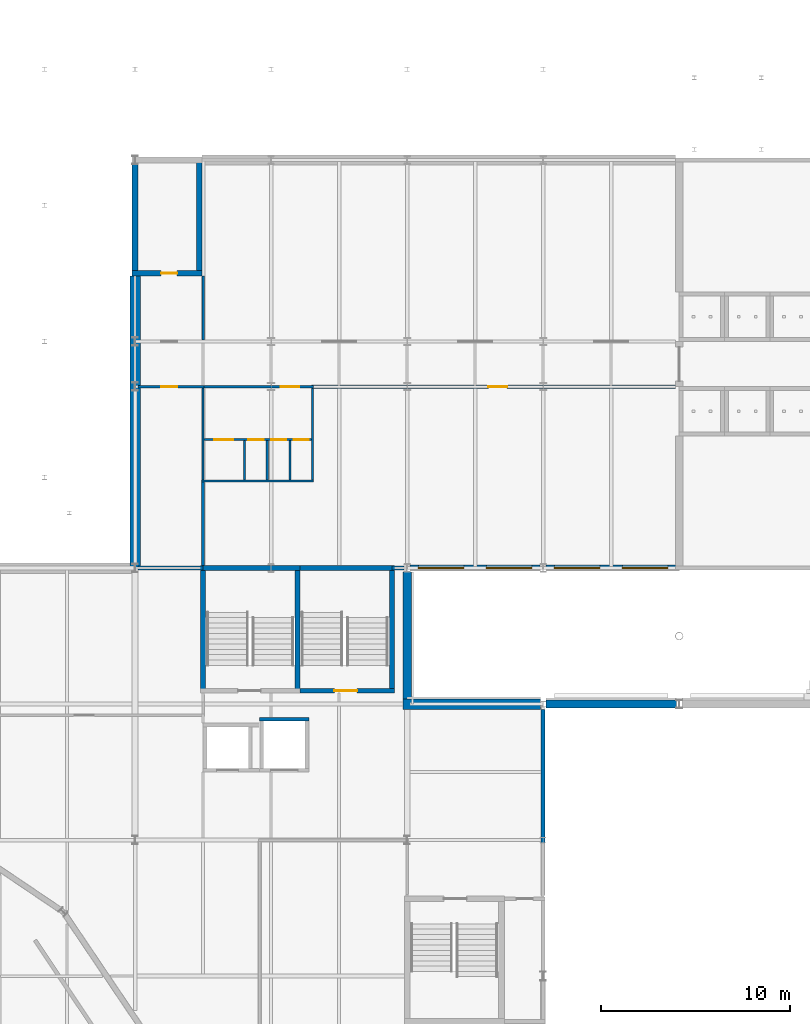
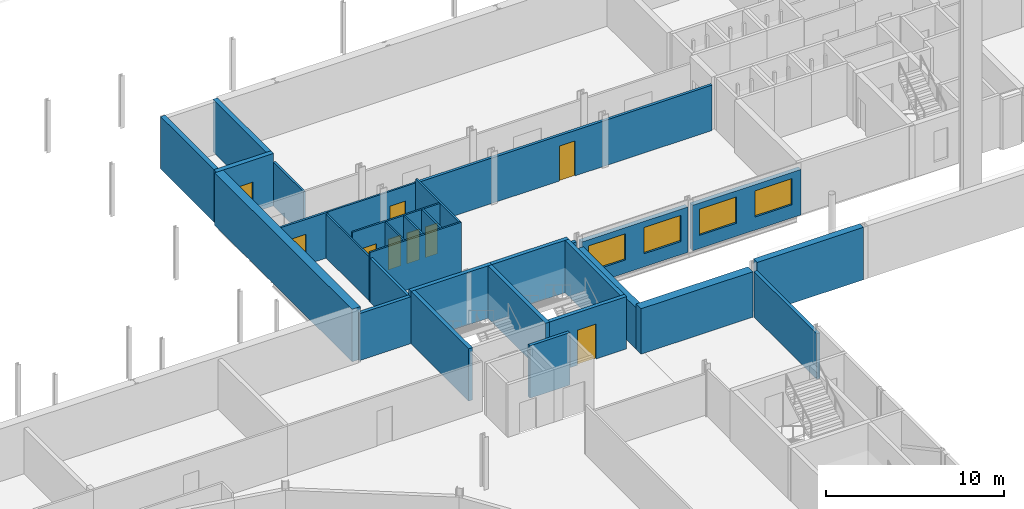
# One storey, part 53 of 90: 31 walls, 9 doors, 4 windows, 13 openings.
"""IFC4 building model written with IfcOpenShell, lengths in metres."""

from ifc_helpers import new_model, si_unit, direction, frame, frame_2d, origin, place, context, subcontext, project, spatial, rectangle, extrude, material, layer, layer_set, type_object, element, fill, save


model = new_model("IFC4")

# Units and contexts
model_context = context("Model", 3, precision=1e-05, world=origin(), true_north=direction((0.0, 1.0)))
body_context = subcontext(model_context, "Body", "Model", "MODEL_VIEW")
ifc_project = project(units=[si_unit("LENGTHUNIT", "METRE"), si_unit("AREAUNIT", "SQUARE_METRE"), si_unit("VOLUMEUNIT", "CUBIC_METRE"), si_unit("PLANEANGLEUNIT", "RADIAN"), si_unit("MASSUNIT", "GRAM", prefix="KILO")], contexts=[model_context])

# Site, building, storey
site_placement = place(None, origin())
site = spatial("IfcSite", under=ifc_project, at=site_placement, CompositionType="ELEMENT")
building_placement = place(site_placement, origin())
building = spatial("IfcBuilding", under=site, at=building_placement, Name="Kupolbacken Congress Centre", CompositionType="ELEMENT")
storey_placement = place(building_placement, frame((0.0, 0.0, 3.60009765625)))
storey = spatial("IfcBuildingStorey", under=building, at=storey_placement, Name="L01", CompositionType="ELEMENT", Elevation=3.60009765625)

# Wall, openings, windows
ifc_material_1 = material(Name="Limestone", Category="masonry")
ifc_layer_1 = layer(ifc_material_1, 0.06005859375)
ifc_material_2 = material(Name="Air cavity", Category="air")
ifc_layer_2 = layer(ifc_material_2, 0.0400390625, ventilated=True)
ifc_material_3 = material(Name="Mineral wool", Category="insulation")
ifc_layer_3 = layer(ifc_material_3, 0.14990234375)
ifc_material_4 = material(Name="Steel studs", Category="metal")
ifc_layer_4 = layer(ifc_material_4, 0.050048828125)
ifc_layer_set_1 = layer_set([ifc_layer_1, ifc_layer_2, ifc_layer_3, ifc_layer_4], Name="Limestone / Mineral wool / Steel studs")
wall_type_1 = type_object("IfcWallType", Name="EW01 external cavity wall 300", PredefinedType="SOLIDWALL", material=ifc_layer_set_1)
wall_1_placement = place(storey_placement, frame((79.353515625, 122.39990234375, 0.0), z_axis=(0.0, 0.0, 1.0), x_axis=(1.0, 0.0, 0.0)))
wall_1 = element("IfcWall", 1, at=wall_1_placement, inside=storey, type_object=wall_type_1, Name="E/T/S/L01/007", PredefinedType="SOLIDWALL", context=body_context, shape_type="SweptSolid", body=[
    extrude(rectangle(XDim=6.89306640625, YDim=0.300048828125, at=frame_2d((3.446533203125, 0.0))), origin(), (0.0, 0.0, 1.0), 3.119873046875),
])
opening_1_placement = place(wall_1_placement, frame((0.446533203125, 0.0, 0.89990234375)))
opening_1 = element("IfcOpeningElement", 2, at=opening_1_placement, cuts=wall_1, Name="Opening W8", PredefinedType="OPENING", context=body_context, shape_type="SweptSolid", body=[
    extrude(rectangle(XDim=2.39990234375, YDim=1.800048828125, at=frame_2d((1.199951171875, 0.89990234375))), frame((0.0, 0.159912109375, 0.0), z_axis=(0.0, -1.0, 0.0), x_axis=(1.0, 0.0, 0.0)), (0.0, 0.0, 1.0), 0.320068359375),
])
opening_2_placement = place(wall_1_placement, frame((4.04638671875, 0.0, 0.89990234375)))
opening_2 = element("IfcOpeningElement", 3, at=opening_2_placement, cuts=wall_1, Name="Opening W8", PredefinedType="OPENING", context=body_context, shape_type="SweptSolid", body=[
    extrude(rectangle(XDim=2.39990234375, YDim=1.800048828125, at=frame_2d((1.199951171875, 0.89990234375))), frame((0.0, 0.159912109375, 0.0), z_axis=(0.0, -1.0, 0.0), x_axis=(1.0, 0.0, 0.0)), (0.0, 0.0, 1.0), 0.320068359375),
])
ifc_material_5 = material(Name="Aluminium frame with double or triple glazing", Category="aluminium")
window_type = type_object("IfcWindowType", Name="W8 window 2400x1800", PartitioningType="DOUBLE_PANEL_VERTICAL", PredefinedType="WINDOW", material=ifc_material_5)
window_1_placement = place(opening_1_placement, origin())
window_1 = element("IfcWindow", 4, at=window_1_placement, inside=storey, type_object=window_type, Name="E/T/S/L01/007/W1", OverallHeight=1.800048828125, OverallWidth=2.39990234375, PartitioningType="SINGLE_PANEL", PredefinedType="WINDOW", context=body_context, shape_type="SweptSolid", body=[
    extrude(rectangle(XDim=2.39990234375, YDim=1.800048828125, at=frame_2d((1.199951171875, 0.89990234375))), frame((0.0, 0.030029296875, 0.0), z_axis=(0.0, -1.0, 0.0), x_axis=(1.0, 0.0, 0.0)), (0.0, 0.0, 1.0), 0.06005859375),
])
fill(opening_1, window_1)
window_2_placement = place(opening_2_placement, origin())
window_2 = element("IfcWindow", 5, at=window_2_placement, inside=storey, type_object=window_type, Name="E/T/S/L01/007/W2", OverallHeight=1.800048828125, OverallWidth=2.39990234375, PartitioningType="SINGLE_PANEL", PredefinedType="WINDOW", context=body_context, shape_type="SweptSolid", body=[
    extrude(rectangle(XDim=2.39990234375, YDim=1.800048828125, at=frame_2d((1.199951171875, 0.89990234375))), frame((0.0, 0.030029296875, 0.0), z_axis=(0.0, -1.0, 0.0), x_axis=(1.0, 0.0, 0.0)), (0.0, 0.0, 1.0), 0.06005859375),
])
fill(opening_2, window_2)

wall_2_placement = place(storey_placement, frame((86.553466796875, 122.39990234375, 0.0), z_axis=(0.0, 0.0, 1.0), x_axis=(1.0, 0.0, 0.0)))
wall_2 = element("IfcWall", 6, at=wall_2_placement, inside=storey, type_object=wall_type_1, Name="E/T/S/L01/008", PredefinedType="SOLIDWALL", context=body_context, shape_type="SweptSolid", body=[
    extrude(rectangle(XDim=7.046630859375, YDim=0.300048828125, at=frame_2d((3.5234375, 0.0))), origin(), (0.0, 0.0, 1.0), 3.119873046875),
])
opening_3_placement = place(wall_2_placement, frame((0.446533203125, 0.0, 0.89990234375)))
opening_3 = element("IfcOpeningElement", 7, at=opening_3_placement, cuts=wall_2, Name="Opening W8", PredefinedType="OPENING", context=body_context, shape_type="SweptSolid", body=[
    extrude(rectangle(XDim=2.39990234375, YDim=1.800048828125, at=frame_2d((1.199951171875, 0.89990234375))), frame((0.0, 0.159912109375, 0.0), z_axis=(0.0, -1.0, 0.0), x_axis=(1.0, 0.0, 0.0)), (0.0, 0.0, 1.0), 0.320068359375),
])
opening_4_placement = place(wall_2_placement, frame((4.04638671875, 0.0, 0.89990234375)))
opening_4 = element("IfcOpeningElement", 8, at=opening_4_placement, cuts=wall_2, Name="Opening W8", PredefinedType="OPENING", context=body_context, shape_type="SweptSolid", body=[
    extrude(rectangle(XDim=2.39990234375, YDim=1.800048828125, at=frame_2d((1.199951171875, 0.89990234375))), frame((0.0, 0.159912109375, 0.0), z_axis=(0.0, -1.0, 0.0), x_axis=(1.0, 0.0, 0.0)), (0.0, 0.0, 1.0), 0.320068359375),
])
window_3_placement = place(opening_3_placement, origin())
window_3 = element("IfcWindow", 9, at=window_3_placement, inside=storey, type_object=window_type, Name="E/T/S/L01/008/W1", OverallHeight=1.800048828125, OverallWidth=2.39990234375, PartitioningType="SINGLE_PANEL", PredefinedType="WINDOW", context=body_context, shape_type="SweptSolid", body=[
    extrude(rectangle(XDim=2.39990234375, YDim=1.800048828125, at=frame_2d((1.199951171875, 0.89990234375))), frame((0.0, 0.030029296875, 0.0), z_axis=(0.0, -1.0, 0.0), x_axis=(1.0, 0.0, 0.0)), (0.0, 0.0, 1.0), 0.06005859375),
])
fill(opening_3, window_3)
window_4_placement = place(opening_4_placement, origin())
window_4 = element("IfcWindow", 10, at=window_4_placement, inside=storey, type_object=window_type, Name="E/T/S/L01/008/W2", OverallHeight=1.800048828125, OverallWidth=2.39990234375, PartitioningType="SINGLE_PANEL", PredefinedType="WINDOW", context=body_context, shape_type="SweptSolid", body=[
    extrude(rectangle(XDim=2.39990234375, YDim=1.800048828125, at=frame_2d((1.199951171875, 0.89990234375))), frame((0.0, 0.030029296875, 0.0), z_axis=(0.0, -1.0, 0.0), x_axis=(1.0, 0.0, 0.0)), (0.0, 0.0, 1.0), 0.06005859375),
])
fill(opening_4, window_4)

# Walls
ifc_material_6 = material(Name="Brick", Category="masonry")
ifc_layer_5 = layer(ifc_material_6, 0.10791015625)
ifc_layer_6 = layer(ifc_material_2, 0.0400390625, ventilated=True)
ifc_layer_7 = layer(ifc_material_3, 0.152099609375)
ifc_material_7 = material(Name="Concrete block", Category="masonry")
ifc_layer_8 = layer(ifc_material_7, 0.1201171875)
ifc_layer_set_2 = layer_set([ifc_layer_5, ifc_layer_6, ifc_layer_7, ifc_layer_8], Name="Brick / Mineral wool / Concrete block")
wall_type_2 = type_object("IfcWallType", Name="EW04 external cavity wall 420", PredefinedType="SOLIDWALL", material=ifc_layer_set_2)
wall_3_placement = place(storey_placement, frame((93.449951171875, 115.199951171875, 0.0), z_axis=(0.0, 0.0, 1.0), x_axis=(-1.0, 0.0, 0.0)))
element("IfcWall", 11, at=wall_3_placement, inside=storey, type_object=wall_type_2, Name="E/H/N/L01/170", PredefinedType="SOLIDWALL", context=body_context, shape_type="SweptSolid", body=[
    extrude(rectangle(XDim=6.89990234375, YDim=0.419921875, at=frame_2d((3.449951171875, 0.0))), origin(), (0.0, 0.0, 1.0), 3.599853515625),
])
ifc_layer_9 = layer(ifc_material_1, 0.1201171875)
ifc_layer_10 = layer(ifc_material_2, 0.0400390625, ventilated=True)
ifc_layer_11 = layer(ifc_material_3, 0.159912109375)
ifc_layer_12 = layer(ifc_material_7, 0.1201171875)
ifc_layer_set_3 = layer_set([ifc_layer_9, ifc_layer_10, ifc_layer_11, ifc_layer_12], Name="Limestone / Mineral wool / Concrete block")
wall_type_3 = type_object("IfcWallType", Name="EW05 external cavity wall 440", PredefinedType="SOLIDWALL", material=ifc_layer_set_3)
wall_4_placement = place(storey_placement, frame((79.199951171875, 115.47998046875, 0.0), z_axis=(0.0, 0.0, 1.0), x_axis=(0.0, 1.0, 0.0)))
element("IfcWall", 12, at=wall_4_placement, inside=storey, type_object=wall_type_3, Name="E/P/E/L01/189", PredefinedType="SOLIDWALL", context=body_context, shape_type="SweptSolid", body=[
    extrude(rectangle(XDim=6.7041015625, YDim=0.43994140625, at=frame_2d((3.35205078125, 0.0))), origin(), (0.0, 0.0, 1.0), 2.81982421875),
])
ifc_material_8 = material(Name="Concrete C40/50", Category="concrete")
ifc_layer_13 = layer(ifc_material_8, 0.199951171875)
ifc_layer_14 = layer(ifc_material_3, 0.199951171875)
ifc_layer_15 = layer(ifc_material_2, 0.0400390625, ventilated=True)
ifc_layer_16 = layer(ifc_material_1, 0.1201171875)
ifc_layer_set_4 = layer_set([ifc_layer_13, ifc_layer_14, ifc_layer_15, ifc_layer_16], Name="Concrete C40/50 / Mineral wool / Limestone")
wall_type_4 = type_object("IfcWallType", Name="EW09 external cavity wall 560", PredefinedType="SOLIDWALL", material=ifc_layer_set_4)
wall_5_placement = place(storey_placement, frame((86.25, 115.199951171875, 0.0), z_axis=(0.0, 0.0, 1.0), x_axis=(-1.0, 0.0, 0.0)))
element("IfcWall", 13, at=wall_5_placement, inside=storey, type_object=wall_type_4, Name="E/LINK/N/L01/187", PredefinedType="SOLIDWALL", context=body_context, shape_type="SweptSolid", body=[
    extrude(rectangle(XDim=7.27001953125, YDim=0.56005859375, at=frame_2d((3.635009765625, 0.0))), origin(), (0.0, 0.0, 1.0), 3.119873046875),
])
ifc_material_9 = material(Name="Gypsum board", Category="drywall")
ifc_layer_17 = layer(ifc_material_9, 0.114990234375)
ifc_layer_set_5 = layer_set([ifc_layer_17], Name="Gypsum board")
wall_type_5 = type_object("IfcWallType", Name="P04 partition 115", PredefinedType="PARTITIONING", material=ifc_layer_set_5)
wall_6_placement = place(storey_placement, frame((68.3125, 127.0, 0.0), z_axis=(0.0, 0.0, 1.0), x_axis=(1.0, 0.0, 0.0)))
element("IfcWall", 14, at=wall_6_placement, inside=storey, type_object=wall_type_5, Name="T/wall/L01/x/12700/6840", PredefinedType="PARTITIONING", context=body_context, shape_type="SweptSolid", body=[
    extrude(rectangle(XDim=5.945068359375, YDim=0.114990234375, at=frame_2d((2.97265625, 0.0))), origin(), (0.0, 0.0, 1.0), 3.419921875),
])

# Wall, openings, doors
wall_7_placement = place(storey_placement, frame((68.45751953125, 129.199951171875, 0.0), z_axis=(0.0, 0.0, 1.0), x_axis=(1.0, 0.0, 0.0)))
wall_7 = element("IfcWall", 15, at=wall_7_placement, inside=storey, type_object=wall_type_5, Name="T/wall/L01/x/12920/6840", PredefinedType="PARTITIONING", context=body_context, shape_type="SweptSolid", body=[
    extrude(rectangle(XDim=5.68505859375, YDim=0.114990234375, at=frame_2d((2.842529296875, 0.0))), origin(), (0.0, 0.0, 1.0), 3.419921875),
])
opening_5_placement = place(wall_7_placement, frame((0.54248046875, 0.0, 0.0)))
opening_5 = element("IfcOpeningElement", 16, at=opening_5_placement, cuts=wall_7, Name="Opening D39", PredefinedType="OPENING", context=body_context, shape_type="SweptSolid", body=[
    extrude(rectangle(XDim=1.0, YDim=2.10009765625, at=frame_2d((0.5, 1.050048828125))), frame((0.0, 0.0673828125, 0.0), z_axis=(0.0, -1.0, 0.0), x_axis=(1.0, 0.0, 0.0)), (0.0, 0.0, 1.0), 0.135009765625),
])
opening_6_placement = place(wall_7_placement, frame((2.342529296875, 0.0, 0.0)))
opening_6 = element("IfcOpeningElement", 17, at=opening_6_placement, cuts=wall_7, Name="Opening D2", PredefinedType="OPENING", context=body_context, shape_type="SweptSolid", body=[
    extrude(rectangle(XDim=0.800048828125, YDim=2.10009765625, at=frame_2d((0.39990234375, 1.050048828125))), frame((0.0, 0.0673828125, 0.0), z_axis=(0.0, -1.0, 0.0), x_axis=(1.0, 0.0, 0.0)), (0.0, 0.0, 1.0), 0.135009765625),
])
opening_7_placement = place(wall_7_placement, frame((3.54248046875, 0.0, 0.0)))
opening_7 = element("IfcOpeningElement", 18, at=opening_7_placement, cuts=wall_7, Name="Opening D2", PredefinedType="OPENING", context=body_context, shape_type="SweptSolid", body=[
    extrude(rectangle(XDim=0.800048828125, YDim=2.10009765625, at=frame_2d((0.39990234375, 1.050048828125))), frame((0.0, 0.0673828125, 0.0), z_axis=(0.0, -1.0, 0.0), x_axis=(1.0, 0.0, 0.0)), (0.0, 0.0, 1.0), 0.135009765625),
])
opening_8_placement = place(wall_7_placement, frame((4.742431640625, 0.0, 0.0)))
opening_8 = element("IfcOpeningElement", 19, at=opening_8_placement, cuts=wall_7, Name="Opening D2", PredefinedType="OPENING", context=body_context, shape_type="SweptSolid", body=[
    extrude(rectangle(XDim=0.800048828125, YDim=2.10009765625, at=frame_2d((0.39990234375, 1.050048828125))), frame((0.0, 0.0673828125, 0.0), z_axis=(0.0, -1.0, 0.0), x_axis=(1.0, 0.0, 0.0)), (0.0, 0.0, 1.0), 0.135009765625),
])
ifc_material_10 = material(Name="Timber door leaf", Category="wood")
door_type_1 = type_object("IfcDoorType", Name="D2 door 800x2100", OperationType="SINGLE_SWING_LEFT", PredefinedType="DOOR", material=ifc_material_10)
door_1_placement = place(opening_6_placement, frame((0.800048828125, 0.0, 0.0), z_axis=(0.0, 0.0, 1.0), x_axis=(-1.0, 0.0, 0.0)))
door_1 = element("IfcDoor", 20, at=door_1_placement, inside=storey, type_object=door_type_1, Name="T/wall/L01/x/12920/6840/D-WS-DC1", OperationType="SINGLE_SWING_LEFT", OverallHeight=2.10009765625, OverallWidth=0.800048828125, PredefinedType="DOOR", context=body_context, shape_type="SweptSolid", body=[
    extrude(rectangle(XDim=0.800048828125, YDim=2.10009765625, at=frame_2d((0.39990234375, 1.050048828125))), frame((0.0, 0.02490234375, 0.0), z_axis=(0.0, -1.0, 0.0), x_axis=(1.0, 0.0, 0.0)), (0.0, 0.0, 1.0), 0.050048828125),
])
fill(opening_6, door_1)
door_2_placement = place(opening_7_placement, frame((0.800048828125, 0.0, 0.0), z_axis=(0.0, 0.0, 1.0), x_axis=(-1.0, 0.0, 0.0)))
door_2 = element("IfcDoor", 21, at=door_2_placement, inside=storey, type_object=door_type_1, Name="T/wall/L01/x/12920/6840/D-WS-DC2", OperationType="SINGLE_SWING_LEFT", OverallHeight=2.10009765625, OverallWidth=0.800048828125, PredefinedType="DOOR", context=body_context, shape_type="SweptSolid", body=[
    extrude(rectangle(XDim=0.800048828125, YDim=2.10009765625, at=frame_2d((0.39990234375, 1.050048828125))), frame((0.0, 0.02490234375, 0.0), z_axis=(0.0, -1.0, 0.0), x_axis=(1.0, 0.0, 0.0)), (0.0, 0.0, 1.0), 0.050048828125),
])
fill(opening_7, door_2)
door_3_placement = place(opening_8_placement, frame((0.800048828125, 0.0, 0.0), z_axis=(0.0, 0.0, 1.0), x_axis=(-1.0, 0.0, 0.0)))
door_3 = element("IfcDoor", 22, at=door_3_placement, inside=storey, type_object=door_type_1, Name="T/wall/L01/x/12920/6840/D-WS-DC3", OperationType="SINGLE_SWING_LEFT", OverallHeight=2.10009765625, OverallWidth=0.800048828125, PredefinedType="DOOR", context=body_context, shape_type="SweptSolid", body=[
    extrude(rectangle(XDim=0.800048828125, YDim=2.10009765625, at=frame_2d((0.39990234375, 1.050048828125))), frame((0.0, 0.02490234375, 0.0), z_axis=(0.0, -1.0, 0.0), x_axis=(1.0, 0.0, 0.0)), (0.0, 0.0, 1.0), 0.050048828125),
])
fill(opening_8, door_3)
ifc_material_11 = material(Name="Timber door leaf", Category="wood")
door_type_2 = type_object("IfcDoorType", Name="D39 door 1000x2100", OperationType="SINGLE_SWING_LEFT", PredefinedType="DOOR", material=ifc_material_11)
door_4_placement = place(opening_5_placement, frame((1.0, 0.0, 0.0), z_axis=(0.0, 0.0, 1.0), x_axis=(-1.0, 0.0, 0.0)))
door_4 = element("IfcDoor", 23, at=door_4_placement, inside=storey, type_object=door_type_2, Name="T/wall/L01/x/12920/6840/D-WS-DA", OperationType="SINGLE_SWING_LEFT", OverallHeight=2.10009765625, OverallWidth=1.0, PredefinedType="DOOR", context=body_context, shape_type="SweptSolid", body=[
    extrude(rectangle(XDim=1.0, YDim=2.10009765625, at=frame_2d((0.5, 1.050048828125))), frame((0.0, 0.02490234375, 0.0), z_axis=(0.0, -1.0, 0.0), x_axis=(1.0, 0.0, 0.0)), (0.0, 0.0, 1.0), 0.050048828125),
])
fill(opening_5, door_4)

# Wall, opening, door
wall_8_placement = place(storey_placement, frame((68.342529296875, 132.0, 0.0), z_axis=(0.0, 0.0, 1.0), x_axis=(1.0, 0.0, 0.0)))
wall_8 = element("IfcWall", 24, at=wall_8_placement, inside=storey, type_object=wall_type_5, Name="T/wall/L01/x/13200/6840", PredefinedType="PARTITIONING", context=body_context, shape_type="SweptSolid", body=[
    extrude(rectangle(XDim=5.9150390625, YDim=0.114990234375, at=frame_2d((2.95751953125, 0.0))), origin(), (0.0, 0.0, 1.0), 3.119873046875),
])
opening_9_placement = place(wall_8_placement, frame((4.157470703125, 0.0, 0.0)))
opening_9 = element("IfcOpeningElement", 25, at=opening_9_placement, cuts=wall_8, Name="Opening D39", PredefinedType="OPENING", context=body_context, shape_type="SweptSolid", body=[
    extrude(rectangle(XDim=1.0, YDim=2.10009765625, at=frame_2d((0.5, 1.050048828125))), frame((0.0, 0.0673828125, 0.0), z_axis=(0.0, -1.0, 0.0), x_axis=(1.0, 0.0, 0.0)), (0.0, 0.0, 1.0), 0.135009765625),
])
door_5_placement = place(opening_9_placement, origin())
door_5 = element("IfcDoor", 26, at=door_5_placement, inside=storey, type_object=door_type_2, Name="T/wall/L01/x/13200/6840/D-WS-DE", OperationType="SINGLE_SWING_RIGHT", OverallHeight=2.10009765625, OverallWidth=1.0, PredefinedType="DOOR", context=body_context, shape_type="SweptSolid", body=[
    extrude(rectangle(XDim=1.0, YDim=2.10009765625, at=frame_2d((0.5, 1.050048828125))), frame((0.0, 0.02490234375, 0.0), z_axis=(0.0, -1.0, 0.0), x_axis=(1.0, 0.0, 0.0)), (0.0, 0.0, 1.0), 0.050048828125),
])
fill(opening_9, door_5)

# Walls
wall_9_placement = place(storey_placement, frame((68.39990234375, 127.0576171875, 0.0), z_axis=(0.0, 0.0, 1.0), x_axis=(0.0, 1.0, 0.0)))
element("IfcWall", 27, at=wall_9_placement, inside=storey, type_object=wall_type_5, Name="T/wall/L01/y/6840/12700", PredefinedType="PARTITIONING", context=body_context, shape_type="SweptSolid", body=[
    extrude(rectangle(XDim=4.875, YDim=0.114990234375, at=frame_2d((2.4375, 0.0))), origin(), (0.0, 0.0, 1.0), 3.02001953125),
])
for number, where, z_axis, x_axis, name in (
    (28, (70.60009765625, 127.0576171875, 0.0), (0.0, 0.0, 1.0), (0.0, 1.0, 0.0), "T/wall/L01/y/7060/12700"),
    (29, (71.800048828125, 127.0576171875, 0.0), (0.0, 0.0, 1.0), (0.0, 1.0, 0.0), "T/wall/L01/y/7180/12700"),
    (30, (73.0, 127.0576171875, 0.0), (0.0, 0.0, 1.0), (0.0, 1.0, 0.0), "T/wall/L01/y/7300/12700"),
):
    element("IfcWall", number, at=place(storey_placement, frame(where, z_axis=z_axis, x_axis=x_axis)), inside=storey, type_object=wall_type_5, Name=name, PredefinedType="PARTITIONING", context=body_context, shape_type="SweptSolid", body=[
        extrude(rectangle(XDim=2.0849609375, YDim=0.114990234375, at=frame_2d((1.04248046875, 0.0))), origin(), (0.0, 0.0, 1.0), 3.419921875),
    ])
wall_10_placement = place(storey_placement, frame((74.199951171875, 127.0576171875, 0.0), z_axis=(0.0, 0.0, 1.0), x_axis=(0.0, 1.0, 0.0)))
element("IfcWall", 31, at=wall_10_placement, inside=storey, type_object=wall_type_5, Name="T/wall/L01/y/7420/12700", PredefinedType="PARTITIONING", context=body_context, shape_type="SweptSolid", body=[
    extrude(rectangle(XDim=4.85498046875, YDim=0.114990234375, at=frame_2d((2.427490234375, 0.0))), origin(), (0.0, 0.0, 1.0), 3.419921875),
])

# Wall, opening, door
ifc_material_12 = material(Name="Gypsum board", Category="drywall")
ifc_layer_18 = layer(ifc_material_12, 0.135009765625)
ifc_layer_set_6 = layer_set([ifc_layer_18], Name="Gypsum board")
wall_type_6 = type_object("IfcWallType", Name="P06 compartment wall 135", PredefinedType="PARTITIONING", material=ifc_layer_set_6)
wall_11_placement = place(storey_placement, frame((64.949951171875, 132.0, 0.0), z_axis=(0.0, 0.0, 1.0), x_axis=(1.0, 0.0, 0.0)))
wall_11 = element("IfcWall", 32, at=wall_11_placement, inside=storey, type_object=wall_type_6, Name="T/wall/L01/x/13200/6480", PredefinedType="PARTITIONING", context=body_context, shape_type="SweptSolid", body=[
    extrude(rectangle(XDim=3.507568359375, YDim=0.135009765625, at=frame_2d((1.75390625, 0.0))), origin(), (0.0, 0.0, 1.0), 3.119873046875),
])
opening_10_placement = place(wall_11_placement, frame((1.22509765625, 0.0, 0.0)))
opening_10 = element("IfcOpeningElement", 33, at=opening_10_placement, cuts=wall_11, Name="Opening D3", PredefinedType="OPENING", context=body_context, shape_type="SweptSolid", body=[
    extrude(rectangle(XDim=0.85009765625, YDim=2.10009765625, at=frame_2d((0.425048828125, 1.050048828125))), frame((0.0, 0.077392578125, 0.0), z_axis=(0.0, -1.0, 0.0), x_axis=(1.0, 0.0, 0.0)), (0.0, 0.0, 1.0), 0.155029296875),
])
ifc_material_13 = material(Name="Steel fire door leaf", Category="steel")
door_type_3 = type_object("IfcDoorType", Name="D3 fire door 850x2100", OperationType="SINGLE_SWING_LEFT", PredefinedType="DOOR", material=ifc_material_13)
door_6_placement = place(opening_10_placement, frame((0.85009765625, 0.0, 0.0), z_axis=(0.0, 0.0, 1.0), x_axis=(-1.0, 0.0, 0.0)))
door_6 = element("IfcDoor", 34, at=door_6_placement, inside=storey, type_object=door_type_3, Name="T/wall/L01/x/13200/6480/D-HK1-D", OperationType="SINGLE_SWING_LEFT", OverallHeight=2.10009765625, OverallWidth=0.85009765625, PredefinedType="DOOR", context=body_context, shape_type="SweptSolid", body=[
    extrude(rectangle(XDim=0.85009765625, YDim=2.10009765625, at=frame_2d((0.425048828125, 1.050048828125))), frame((0.0, 0.02490234375, 0.0), z_axis=(0.0, -1.0, 0.0), x_axis=(1.0, 0.0, 0.0)), (0.0, 0.0, 1.0), 0.050048828125),
])
fill(opening_10, door_6)

# Wall
wall_12_placement = place(storey_placement, frame((68.39990234375, 134.467529296875, 0.0), z_axis=(0.0, 0.0, 1.0), x_axis=(0.0, 1.0, 0.0)))
element("IfcWall", 35, at=wall_12_placement, inside=storey, type_object=wall_type_6, Name="T/wall/L01/y/6840/13440", PredefinedType="PARTITIONING", context=body_context, shape_type="SweptSolid", body=[
    extrude(rectangle(XDim=3.382568359375, YDim=0.135009765625, at=frame_2d((1.69140625, 0.0))), origin(), (0.0, 0.0, 1.0), 3.02001953125),
])

# Wall, opening, door
ifc_material_14 = material(Name="Gypsum board", Category="drywall")
ifc_layer_19 = layer(ifc_material_14, 0.175048828125)
ifc_layer_set_7 = layer_set([ifc_layer_19], Name="Gypsum board")
wall_type_7 = type_object("IfcWallType", Name="P09 partition 175", PredefinedType="PARTITIONING", material=ifc_layer_set_7)
wall_13_placement = place(storey_placement, frame((74.142578125, 132.0, 0.0), z_axis=(0.0, 0.0, 1.0), x_axis=(1.0, 0.0, 0.0)))
wall_13 = element("IfcWall", 36, at=wall_13_placement, inside=storey, type_object=wall_type_7, Name="T/wall/L01/x/13200/7420", PredefinedType="PARTITIONING", context=body_context, shape_type="SweptSolid", body=[
    extrude(rectangle(XDim=19.25732421875, YDim=0.175048828125, at=frame_2d((9.628662109375, 0.0))), origin(), (0.0, 0.0, 1.0), 3.119873046875),
])
opening_11_placement = place(wall_13_placement, frame((9.357421875, 0.0, 0.0)))
opening_11 = element("IfcOpeningElement", 37, at=opening_11_placement, cuts=wall_13, Name="Opening D8", PredefinedType="OPENING", context=body_context, shape_type="SweptSolid", body=[
    extrude(rectangle(XDim=1.0, YDim=2.39990234375, at=frame_2d((0.5, 1.199951171875))), frame((0.0, 0.097412109375, 0.0), z_axis=(0.0, -1.0, 0.0), x_axis=(1.0, 0.0, 0.0)), (0.0, 0.0, 1.0), 0.195068359375),
])
ifc_material_15 = material(Name="Steel fire door leaf", Category="steel")
door_type_4 = type_object("IfcDoorType", Name="D8 fire door 1000x2400", OperationType="SINGLE_SWING_LEFT", PredefinedType="DOOR", material=ifc_material_15)
door_7_placement = place(opening_11_placement, frame((1.0, 0.0, 0.0), z_axis=(0.0, 0.0, 1.0), x_axis=(-1.0, 0.0, 0.0)))
door_7 = element("IfcDoor", 38, at=door_7_placement, inside=storey, type_object=door_type_4, Name="T/wall/L01/x/13200/7420/D-CKIT-D", OperationType="SINGLE_SWING_RIGHT", OverallHeight=2.39990234375, OverallWidth=1.0, PredefinedType="DOOR", context=body_context, shape_type="SweptSolid", body=[
    extrude(rectangle(XDim=1.0, YDim=2.39990234375, at=frame_2d((0.5, 1.199951171875))), frame((0.0, 0.02490234375, 0.0), z_axis=(0.0, -1.0, 0.0), x_axis=(1.0, 0.0, 0.0)), (0.0, 0.0, 1.0), 0.050048828125),
])
fill(opening_11, door_7)

# Walls
wall_14_placement = place(storey_placement, frame((68.39990234375, 122.52490234375, 0.0), z_axis=(0.0, 0.0, 1.0), x_axis=(0.0, 1.0, 0.0)))
element("IfcWall", 39, at=wall_14_placement, inside=storey, type_object=wall_type_7, Name="T/wall/L01/y/6840/12252", PredefinedType="PARTITIONING", context=body_context, shape_type="SweptSolid", body=[
    extrude(rectangle(XDim=4.41748046875, YDim=0.175048828125, at=frame_2d((2.208740234375, 0.0))), origin(), (0.0, 0.0, 1.0), 3.02001953125),
])
ifc_material_16 = material(Name="Gypsum board", Category="drywall")
ifc_layer_20 = layer(ifc_material_16, 0.22509765625)
ifc_layer_set_8 = layer_set([ifc_layer_20], Name="Gypsum board")
wall_type_8 = type_object("IfcWallType", Name="P11 compartment wall 225", PredefinedType="PARTITIONING", material=ifc_layer_set_8)
wall_15_placement = place(storey_placement, frame((64.949951171875, 122.39990234375, 0.0), z_axis=(0.0, 0.0, 1.0), x_axis=(1.0, 0.0, 0.0)))
element("IfcWall", 40, at=wall_15_placement, inside=storey, type_object=wall_type_8, Name="E/T/party/L01/03", PredefinedType="PARTITIONING", context=body_context, shape_type="SweptSolid", body=[
    extrude(rectangle(XDim=3.449951171875, YDim=0.22509765625, at=frame_2d((1.72509765625, 0.0))), origin(), (0.0, 0.0, 1.0), 3.219970703125),
])
wall_16_placement = place(storey_placement, frame((78.39990234375, 122.39990234375, 0.0), z_axis=(0.0, 0.0, 1.0), x_axis=(1.0, 0.0, 0.0)))
element("IfcWall", 41, at=wall_16_placement, inside=storey, type_object=wall_type_8, Name="E/T/party/L01/04", PredefinedType="PARTITIONING", context=body_context, shape_type="SweptSolid", body=[
    extrude(rectangle(XDim=0.646484375, YDim=0.22509765625, at=frame_2d((0.3232421875, 0.0))), origin(), (0.0, 0.0, 1.0), 3.219970703125),
])
ifc_material_17 = material(Name="Dense concrete block", Category="masonry")
ifc_layer_21 = layer(ifc_material_17, 0.215087890625)
ifc_layer_set_9 = layer_set([ifc_layer_21], Name="Dense concrete block")
wall_type_9 = type_object("IfcWallType", Name="P15 partition 215", PredefinedType="PARTITIONING", material=ifc_layer_set_9)
wall_17_placement = place(storey_placement, frame((86.39990234375, 107.85498046875, 0.0), z_axis=(0.0, 0.0, 1.0), x_axis=(0.0, 1.0, 0.0)))
element("IfcWall", 42, at=wall_17_placement, inside=storey, type_object=wall_type_9, Name="PD/L01/W017.h1", PredefinedType="PARTITIONING", context=body_context, shape_type="SweptSolid", body=[
    extrude(rectangle(XDim=7.06494140625, YDim=0.215087890625, at=frame_2d((3.532470703125, 0.0))), origin(), (0.0, 0.0, 1.0), 3.119873046875),
])
ifc_material_18 = material(Name="Concrete C30/37", Category="concrete")
ifc_layer_22 = layer(ifc_material_18, 0.550048828125)
ifc_layer_set_10 = layer_set([ifc_layer_22], Name="Concrete C30/37")
wall_type_10 = type_object("IfcWallType", Name="RW3 retaining wall 550", PredefinedType="SOLIDWALL", material=ifc_layer_set_10)
wall_18_placement = place(storey_placement, frame((64.800048828125, 122.39990234375, 0.0), z_axis=(0.0, 0.0, 1.0), x_axis=(0.0, 1.0, 0.0)))
element("IfcWall", 43, at=wall_18_placement, inside=storey, type_object=wall_type_10, Name="Retaining wall BF11 L01", PredefinedType="SOLIDWALL", context=body_context, shape_type="SweptSolid", body=[
    extrude(rectangle(XDim=15.4501953125, YDim=0.550048828125, at=frame_2d((7.72509765625, 0.0))), origin(), (0.0, 0.0, 1.0), 3.599853515625),
])
ifc_material_19 = material(Name="Concrete C40/50", Category="concrete")
ifc_layer_23 = layer(ifc_material_19, 0.199951171875)
ifc_layer_set_11 = layer_set([ifc_layer_23], Name="Concrete C40/50")
wall_type_11 = type_object("IfcWallType", Name="WC1 RC shaft wall 200", PredefinedType="SHEAR", material=ifc_layer_set_11)
wall_19_placement = place(storey_placement, frame((71.39990234375, 114.39990234375, 0.0), z_axis=(0.0, 0.0, 1.0), x_axis=(1.0, 0.0, 0.0)))
element("IfcWall", 44, at=wall_19_placement, inside=storey, type_object=wall_type_11, Name="Shaft wall LG2", PredefinedType="SHEAR", context=body_context, shape_type="SweptSolid", body=[
    extrude(rectangle(XDim=2.60009765625, YDim=0.199951171875, at=frame_2d((1.300048828125, 0.0))), origin(), (0.0, 0.0, 1.0), 3.599853515625),
])

# Wall, opening, door
ifc_material_20 = material(Name="Concrete C40/50", Category="concrete")
ifc_layer_24 = layer(ifc_material_20, 0.25)
ifc_layer_set_12 = layer_set([ifc_layer_24], Name="Concrete C40/50")
wall_type_12 = type_object("IfcWallType", Name="WC2 RC stair enclosure wall 250", PredefinedType="SHEAR", material=ifc_layer_set_12)
wall_20_placement = place(storey_placement, frame((73.52490234375, 115.89990234375, 0.0), z_axis=(0.0, 0.0, 1.0), x_axis=(1.0, 0.0, 0.0)))
wall_20 = element("IfcWall", 45, at=wall_20_placement, inside=storey, type_object=wall_type_12, Name="Stair enclosure wall L01-069", PredefinedType="SHEAR", context=body_context, shape_type="SweptSolid", body=[
    extrude(rectangle(XDim=5.0, YDim=0.25, at=frame_2d((2.5, 0.0))), origin(), (0.0, 0.0, 1.0), 3.599853515625),
])
opening_12_placement = place(wall_20_placement, frame((1.824951171875, 0.0, 0.0)))
opening_12 = element("IfcOpeningElement", 46, at=opening_12_placement, cuts=wall_20, Name="Opening 1.P08", PredefinedType="OPENING", context=body_context, shape_type="SweptSolid", body=[
    extrude(rectangle(XDim=1.199951171875, YDim=2.39990234375, at=frame_2d((0.60009765625, 1.199951171875))), frame((0.0, 0.135009765625, 0.0), z_axis=(0.0, -1.0, 0.0), x_axis=(1.0, 0.0, 0.0)), (0.0, 0.0, 1.0), 0.27001953125),
])
ifc_material_21 = material(Name="Steel fire door leaf", Category="steel")
door_type_5 = type_object("IfcDoorType", Name="D9 fire door 1200x2400", OperationType="SINGLE_SWING_LEFT", PredefinedType="DOOR", material=ifc_material_21)
door_8_placement = place(opening_12_placement, origin())
door_8 = element("IfcDoor", 47, at=door_8_placement, inside=storey, type_object=door_type_5, Name="S/core/L01/069/D1P08", OperationType="SINGLE_SWING_LEFT", OverallHeight=2.39990234375, OverallWidth=1.199951171875, PredefinedType="DOOR", context=body_context, shape_type="SweptSolid", body=[
    extrude(rectangle(XDim=1.199951171875, YDim=2.39990234375, at=frame_2d((0.60009765625, 1.199951171875))), frame((0.0, 0.02490234375, 0.0), z_axis=(0.0, -1.0, 0.0), x_axis=(1.0, 0.0, 0.0)), (0.0, 0.0, 1.0), 0.050048828125),
])
fill(opening_12, door_8)

# Walls
for number, where, z_axis, x_axis, name in (
    (48, (73.39990234375, 115.77490234375, 0.0), (0.0, 0.0, 1.0), (0.0, 1.0, 0.0), "Stair enclosure wall L01-070"),
    (49, (78.39990234375, 115.77490234375, 0.0), (0.0, 0.0, 1.0), (0.0, 1.0, 0.0), "Stair enclosure wall L01-071"),
    (50, (68.39990234375, 122.52490234375, 0.0), (0.0, 0.0, 1.0), (0.0, -1.0, 0.0), "Stair enclosure wall L01-075"),
):
    element("IfcWall", number, at=place(storey_placement, frame(where, z_axis=z_axis, x_axis=x_axis)), inside=storey, type_object=wall_type_12, Name=name, PredefinedType="SHEAR", context=body_context, shape_type="SweptSolid", body=[
        extrude(rectangle(XDim=6.75, YDim=0.25, at=frame_2d((3.375, 0.0))), origin(), (0.0, 0.0, 1.0), 3.599853515625),
    ])
wall_21_placement = place(storey_placement, frame((73.52490234375, 122.39990234375, 0.0), z_axis=(0.0, 0.0, 1.0), x_axis=(-1.0, 0.0, 0.0)))
element("IfcWall", 51, at=wall_21_placement, inside=storey, type_object=wall_type_12, Name="Stair enclosure wall L01-076", PredefinedType="SHEAR", context=body_context, shape_type="SweptSolid", body=[
    extrude(rectangle(XDim=5.25, YDim=0.25, at=frame_2d((2.625, 0.0))), origin(), (0.0, 0.0, 1.0), 3.599853515625),
])
wall_22_placement = place(storey_placement, frame((78.52490234375, 122.39990234375, 0.0), z_axis=(0.0, 0.0, 1.0), x_axis=(-1.0, 0.0, 0.0)))
element("IfcWall", 52, at=wall_22_placement, inside=storey, type_object=wall_type_12, Name="Stair enclosure wall L01-077", PredefinedType="SHEAR", context=body_context, shape_type="SweptSolid", body=[
    extrude(rectangle(XDim=5.0, YDim=0.25, at=frame_2d((2.5, 0.0))), origin(), (0.0, 0.0, 1.0), 3.599853515625),
])

# Wall, opening, door
ifc_material_22 = material(Name="Concrete C40/50", Category="concrete")
ifc_layer_25 = layer(ifc_material_22, 0.300048828125)
ifc_layer_set_13 = layer_set([ifc_layer_25], Name="Concrete C40/50")
wall_type_13 = type_object("IfcWallType", Name="WC3 RC core wall 300", PredefinedType="SHEAR", material=ifc_layer_set_13)
wall_23_placement = place(storey_placement, frame((64.64990234375, 138.0, 0.0), z_axis=(0.0, 0.0, 1.0), x_axis=(1.0, 0.0, 0.0)))
wall_23 = element("IfcWall", 53, at=wall_23_placement, inside=storey, type_object=wall_type_13, Name="Core wall L01-118", PredefinedType="SHEAR", context=body_context, shape_type="SweptSolid", body=[
    extrude(rectangle(XDim=3.7001953125, YDim=0.300048828125, at=frame_2d((1.85009765625, 0.0))), origin(), (0.0, 0.0, 1.0), 3.599853515625),
])
opening_13_placement = place(wall_23_placement, frame((1.52490234375, 0.0, 0.0)))
opening_13 = element("IfcOpeningElement", 54, at=opening_13_placement, cuts=wall_23, Name="Opening D3", PredefinedType="OPENING", context=body_context, shape_type="SweptSolid", body=[
    extrude(rectangle(XDim=0.85009765625, YDim=2.10009765625, at=frame_2d((0.425048828125, 1.050048828125))), frame((0.0, 0.159912109375, 0.0), z_axis=(0.0, -1.0, 0.0), x_axis=(1.0, 0.0, 0.0)), (0.0, 0.0, 1.0), 0.320068359375),
])
door_9_placement = place(opening_13_placement, frame((0.85009765625, 0.0, 0.0), z_axis=(0.0, 0.0, 1.0), x_axis=(-1.0, 0.0, 0.0)))
door_9 = element("IfcDoor", 55, at=door_9_placement, inside=storey, type_object=door_type_3, Name="S/core/L01/118/D-ST3-D", OperationType="SINGLE_SWING_LEFT", OverallHeight=2.10009765625, OverallWidth=0.85009765625, PredefinedType="DOOR", context=body_context, shape_type="SweptSolid", body=[
    extrude(rectangle(XDim=0.85009765625, YDim=2.10009765625, at=frame_2d((0.425048828125, 1.050048828125))), frame((0.0, 0.02490234375, 0.0), z_axis=(0.0, -1.0, 0.0), x_axis=(1.0, 0.0, 0.0)), (0.0, 0.0, 1.0), 0.050048828125),
])
fill(opening_13, door_9)

# Walls
for number, where, z_axis, x_axis, name in (
    (56, (68.199951171875, 137.85009765625, 0.0), (0.0, 0.0, 1.0), (0.0, 1.0, 0.0), "Core wall L01-119"),
    (57, (64.800048828125, 144.14990234375, 0.0), (0.0, 0.0, 1.0), (0.0, -1.0, 0.0), "Core wall L01-124"),
):
    element("IfcWall", number, at=place(storey_placement, frame(where, z_axis=z_axis, x_axis=x_axis)), inside=storey, type_object=wall_type_13, Name=name, PredefinedType="SHEAR", context=body_context, shape_type="SweptSolid", body=[
        extrude(rectangle(XDim=6.2998046875, YDim=0.300048828125, at=frame_2d((3.14990234375, 0.0))), origin(), (0.0, 0.0, 1.0), 3.599853515625),
    ])

save(model, "model.ifc")
